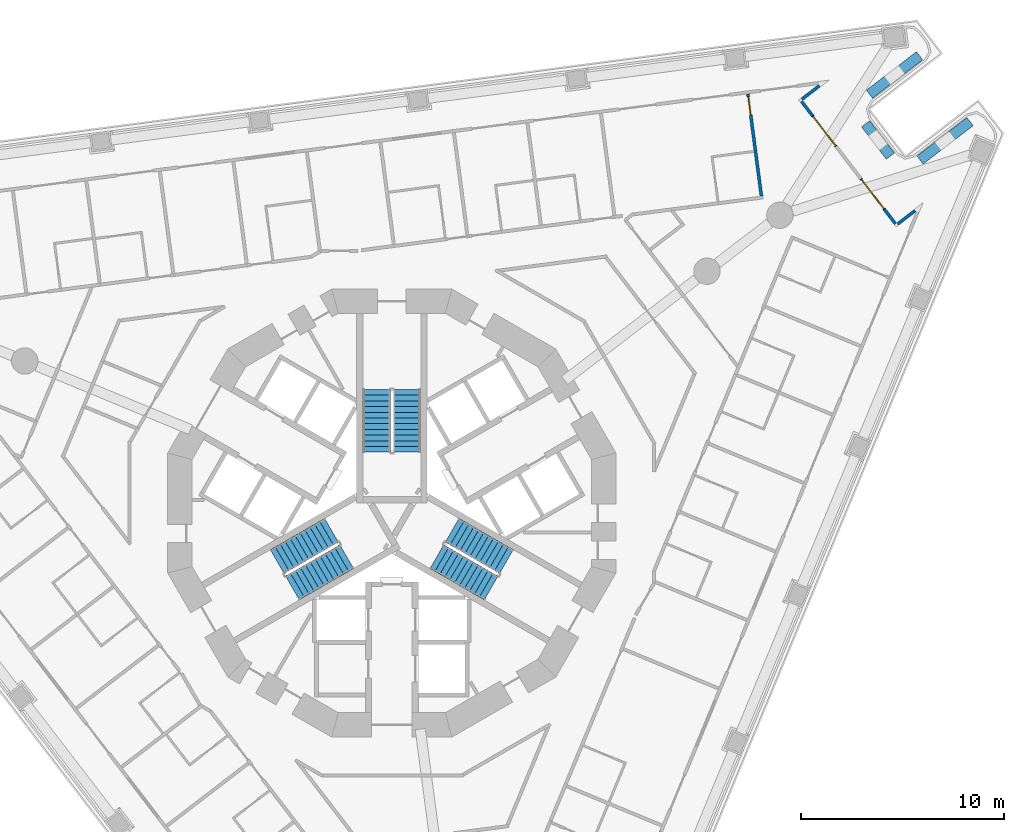
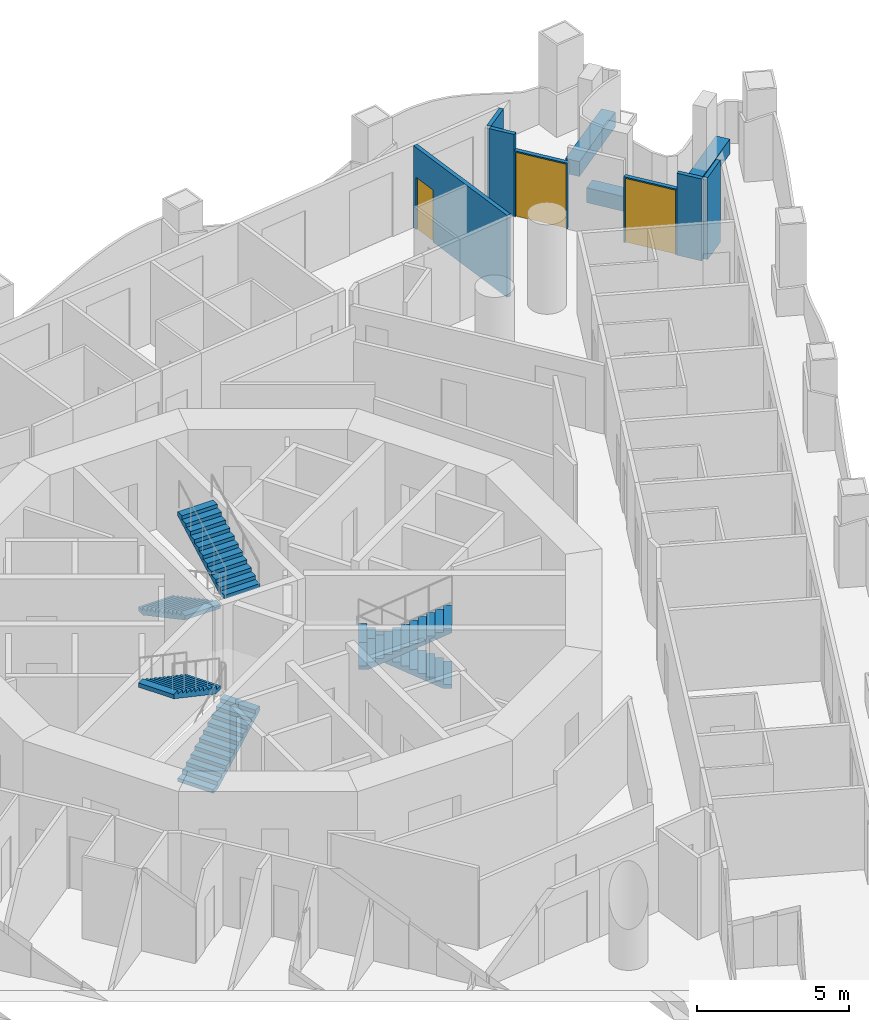
# One storey, part 11 of 19: 10 walls, 6 stair flights, 3 doors, 3 openings, 3 elements without a shape of their own.
"""IFC4 building model written with IfcOpenShell, lengths in metres."""

import ifcopenshell
import ifcopenshell.guid

model = None  # the IFC model being written
_history = None  # IfcOwnerHistory: only IFC2X3 demands one
_inside = {}  # id of a spatial element -> (the spatial element, [elements in it])
_under = {}  # id of a project, library or spatial element -> (it, [spatial elements below it])
_declared = {}  # id of a project -> (the project, [libraries it declares])
_typed = {}  # id of a type object -> (the type object, [elements of that type])
_made_of = {}  # id of a material, layer set ... -> (it, [elements and type objects made of it])


def new_model(schema):
    """Start an empty IFC model of exactly this schema.

    Asked for "IFC4X3", IfcOpenShell would pick the latest addendum, in which some entities
    have other attributes; the version numbers below select the first issue.
    IFC2X3 requires an IfcOwnerHistory on every rooted entity: one is made here for all.
    """
    global model, _history
    if schema == "IFC4X3":
        model = ifcopenshell.file(schema_version=(4, 3, 0, 0))
    else:
        model = ifcopenshell.file(schema=schema)
    _inside.clear()
    _under.clear()
    _declared.clear()
    _typed.clear()
    _made_of.clear()
    _history = None
    if model.schema == "IFC2X3":
        org = make("IfcOrganization", Name="unknown")
        user = make(
            "IfcPersonAndOrganization",
            ThePerson=make("IfcPerson", FamilyName="unknown"),
            TheOrganization=org,
        )
        app = make(
            "IfcApplication",
            ApplicationDeveloper=org,
            Version="unknown",
            ApplicationFullName="unknown",
            ApplicationIdentifier="unknown",
        )
        _history = make(
            "IfcOwnerHistory",
            OwningUser=user,
            OwningApplication=app,
            ChangeAction="ADDED",
            CreationDate=0,
        )
    return model


def make(cls, **values):
    """One entity of the class cls with the attributes given. An attribute that is None is left unset."""
    return model.create_entity(
        cls, **{name: value for name, value in values.items() if value is not None}
    )


def rooted(cls, **values):
    """An entity with a GlobalId (a new one), such as an element, a storey or a relation."""
    return make(cls, GlobalId=ifcopenshell.guid.new(), OwnerHistory=_history, **values)


def si_unit(unit_type, name, prefix=None):
    """IfcSIUnit, for example si_unit("LENGTHUNIT", "METRE", prefix="MILLI")."""
    return make("IfcSIUnit", UnitType=unit_type, Prefix=prefix, Name=name)


def assignment(units):
    """IfcUnitAssignment: the units of a project."""
    return None if units is None else make("IfcUnitAssignment", Units=units)


def point(xyz):
    """IfcCartesianPoint."""
    return None if xyz is None else make("IfcCartesianPoint", Coordinates=xyz)


def direction(xyz):
    """IfcDirection."""
    return None if xyz is None else make("IfcDirection", DirectionRatios=xyz)


def frame(location, z_axis=None, x_axis=None):
    """IfcAxis2Placement3D, a coordinate frame: its origin and axes. An axis left out is left unset."""
    return make(
        "IfcAxis2Placement3D",
        Location=point(location),
        Axis=direction(z_axis),
        RefDirection=direction(x_axis),
    )


def frame_2d(location, x_axis=None):
    """IfcAxis2Placement2D, a coordinate frame in the plane: its origin and x axis."""
    return make(
        "IfcAxis2Placement2D", Location=point(location), RefDirection=direction(x_axis)
    )


def origin():
    """The frame at (0, 0, 0) with its axes left unset."""
    return frame((0.0, 0.0, 0.0))


def place(relative_to, where):
    """IfcLocalPlacement: puts the frame where relative to a parent placement (None: the world)."""
    return make(
        "IfcLocalPlacement", PlacementRelTo=relative_to, RelativePlacement=where
    )


def context(
    kind, dimensions, precision=None, world=None, true_north=None, identifier=None
):
    """IfcGeometricRepresentationContext, for example the 3D "Model" context."""
    return make(
        "IfcGeometricRepresentationContext",
        ContextIdentifier=identifier,
        ContextType=kind,
        CoordinateSpaceDimension=dimensions,
        Precision=precision,
        WorldCoordinateSystem=world,
        TrueNorth=true_north,
    )


def subcontext(parent, identifier, kind, view, scale=None):
    """IfcGeometricRepresentationSubContext, for example "Body" below "Model"."""
    return make(
        "IfcGeometricRepresentationSubContext",
        ContextIdentifier=identifier,
        ContextType=kind,
        ParentContext=parent,
        TargetScale=scale,
        TargetView=view,
    )


def project(units=None, contexts=None):
    """IfcProject with its units and contexts."""
    return rooted(
        "IfcProject",
        Name="project",
        RepresentationContexts=contexts,
        UnitsInContext=assignment(units),
    )


def spatial(cls, under=None, at=None, **own):
    """A site, building, storey or space (cls), placed at a placement, below another one or the project."""
    s = rooted(cls, ObjectPlacement=at, **own)
    if under is not None:
        _under.setdefault(under.id(), (under, []))[1].append(s)
    return s


def polyline(points):
    """IfcPolyline through the points."""
    return make("IfcPolyline", Points=[point(p) for p in points])


def profile(cls, at=None, kind="AREA", **sizes):
    """A parametric profile (cls). Its sizes go by their IFC names, for example OverallWidth=200.0."""
    return make(cls, ProfileType=kind, Position=at, **sizes)


def rectangle(**sizes):
    """IfcRectangleProfileDef."""
    return profile("IfcRectangleProfileDef", **sizes)


def outline(outer, holes=None, kind="AREA"):
    """IfcArbitraryClosedProfileDef: a profile drawn as a closed curve; with holes, ...WithVoids."""
    if holes is None:
        return make("IfcArbitraryClosedProfileDef", ProfileType=kind, OuterCurve=outer)
    return make(
        "IfcArbitraryProfileDefWithVoids",
        ProfileType=kind,
        OuterCurve=outer,
        InnerCurves=holes,
    )


def extrude(swept, where, along, depth):
    """IfcExtrudedAreaSolid: the profile swept, set in the frame where, extruded along a direction by depth."""
    return make(
        "IfcExtrudedAreaSolid",
        SweptArea=swept,
        Position=where,
        ExtrudedDirection=direction(along),
        Depth=depth,
    )


def shape(context_of_items, identifier, shape_type, items):
    """IfcShapeRepresentation: the items that make up one representation, for example the "Body"."""
    return make(
        "IfcShapeRepresentation",
        ContextOfItems=context_of_items,
        RepresentationIdentifier=identifier,
        RepresentationType=shape_type,
        Items=items,
    )


def material(Name=None, Category=None):
    """IfcMaterial."""
    return make("IfcMaterial", Name=Name, Category=Category)


def layer(
    of_material, thickness, ventilated=None, Name=None, Category=None, Priority=None
):
    """IfcMaterialLayer: one layer of a wall or slab, of a material (None: an air gap)."""
    return make(
        "IfcMaterialLayer",
        Material=of_material,
        LayerThickness=thickness,
        IsVentilated=ventilated,
        Name=Name,
        Category=Category,
        Priority=Priority,
    )


def layer_set(layers, Name=None):
    """IfcMaterialLayerSet."""
    return make("IfcMaterialLayerSet", MaterialLayers=layers, LayerSetName=Name)


def made_of(thing, what):
    """Note that an element or type object is made of a material, layer set ...; save() writes the relation."""
    if what is not None:
        _made_of.setdefault(what.id(), (what, []))[1].append(thing)
    return thing


def type_object(cls, material=None, **own):
    """A type object (cls), such as IfcWallType, which elements share."""
    return made_of(rooted(cls, **own), material)


def element(
    cls,
    number,
    at=None,
    inside=None,
    cuts=None,
    type_object=None,
    material=None,
    context=None,
    identifier="Body",
    shape_type=None,
    held_by="IfcProductDefinitionShape",
    body=None,
    shapes=None,
    **own,
):
    """One element of the class cls, such as IfcWall. Its Tag is "e" and its number.

    at: its placement. inside: the storey or other place that contains it. cuts: it is an
    opening in that element (IfcRelVoidsElement). A single representation is given by context,
    identifier, shape_type and body (its items); several are given by shapes. held_by: the class
    of the entity that holds the representations. save() writes the other relations.
    """
    e = rooted(cls, Tag="e%d" % number, ObjectPlacement=at, **own)
    if body is not None:
        shapes = [shape(context, identifier, shape_type, body)]
    if shapes is not None:
        e.Representation = make(held_by, Representations=shapes)
    if inside is not None:
        _inside.setdefault(inside.id(), (inside, []))[1].append(e)
    if cuts is not None:
        rooted(
            "IfcRelVoidsElement", RelatingBuildingElement=cuts, RelatedOpeningElement=e
        )
    if type_object is not None:
        _typed.setdefault(type_object.id(), (type_object, []))[1].append(e)
    return made_of(e, material)


def fill(opening, filler):
    """IfcRelFillsElement: the door or window that sits in an opening."""
    return rooted(
        "IfcRelFillsElement",
        RelatingOpeningElement=opening,
        RelatedBuildingElement=filler,
    )


def aggregate(whole, parts):
    """IfcRelAggregates: a whole, such as a stair, and the parts it consists of."""
    return rooted("IfcRelAggregates", RelatingObject=whole, RelatedObjects=parts)


def save(model, path):
    """Write the relations noted so far, then the file.

    IfcRelAggregates (storeys below a building ...), IfcRelContainedInSpatialStructure (elements
    in a storey), IfcRelDefinesByType, IfcRelAssociatesMaterial and IfcRelDeclares: one each for
    every whole, place, type object, material and project.
    """
    for whole, parts in _under.values():
        aggregate(whole, parts)
    for where, things in _inside.values():
        rooted(
            "IfcRelContainedInSpatialStructure",
            RelatedElements=things,
            RelatingStructure=where,
        )
    for kind, things in _typed.values():
        rooted("IfcRelDefinesByType", RelatedObjects=things, RelatingType=kind)
    for what, things in _made_of.values():
        rooted("IfcRelAssociatesMaterial", RelatedObjects=things, RelatingMaterial=what)
    for by, libraries in _declared.values():
        rooted("IfcRelDeclares", RelatingContext=by, RelatedDefinitions=libraries)
    model.write(path)


model = new_model("IFC4")

# Units and contexts
model_context = context("Model", 3, precision=1e-05, world=origin(), true_north=direction((0.0, 1.0)))
body_context = subcontext(model_context, "Body", "Model", "MODEL_VIEW")
ifc_project = project(units=[si_unit("LENGTHUNIT", "METRE"), si_unit("AREAUNIT", "SQUARE_METRE"), si_unit("VOLUMEUNIT", "CUBIC_METRE"), si_unit("PLANEANGLEUNIT", "RADIAN"), si_unit("MASSUNIT", "GRAM", prefix="KILO")], contexts=[model_context])

# Site, building, storey
site_placement = place(None, origin())
site = spatial("IfcSite", under=ifc_project, at=site_placement, CompositionType="ELEMENT")
building_placement = place(site_placement, origin())
building = spatial("IfcBuilding", under=site, at=building_placement, Name="Trine Commons Tower", CompositionType="ELEMENT")
storey_placement = place(building_placement, frame((0.0, 0.0, 54.0)))
storey = spatial("IfcBuildingStorey", under=building, at=storey_placement, Name="L12", CompositionType="ELEMENT", Elevation=54.0)

# Walls
ifc_material_1 = material(Name="Aluminium-framed insulated wall panel", Category="aluminium")
ifc_layer_1 = layer(ifc_material_1, 0.14990234375)
ifc_layer_set_1 = layer_set([ifc_layer_1], Name="Aluminium-framed insulated wall panel")
wall_type_1 = type_object("IfcWallType", Name="Glazed frame wall 150, EI 60", PredefinedType="SOLIDWALL", material=ifc_layer_set_1)
wall_1_placement = place(storey_placement, frame((101.129150390625, 83.584716796875, 0.0), z_axis=(0.0, 0.0, 1.0), x_axis=(-0.79337253673, -0.608736410905, 0.0)))
element("IfcWall", 1, at=wall_1_placement, inside=storey, type_object=wall_type_1, Name="Glazed frame wall R5", PredefinedType="SOLIDWALL", context=body_context, shape_type="SweptSolid", body=[
    extrude(outline(polyline([(0.1494140625, 0.074951171875), (0.1494140625, -0.074951171875), (1.235107421875, -0.074951171875), (1.235107421875, 0.074951171875), (0.1494140625, 0.074951171875)])), origin(), (0.0, 0.0, 1.0), 3.300048828125),
])
wall_2_placement = place(storey_placement, frame((100.068603515625, 82.81494140625, 0.0), z_axis=(0.0, 0.0, 1.0), x_axis=(0.608908114293, -0.793240763166, 0.0)))
element("IfcWall", 2, at=wall_2_placement, inside=storey, type_object=wall_type_1, Name="Glazed frame wall P2.1", PredefinedType="SOLIDWALL", context=body_context, shape_type="SweptSolid", body=[
    extrude(outline(polyline([(0.110107421875, -0.074951171875), (1.0, -0.074951171875), (1.0, 0.074951171875), (0.110107421875, 0.074951171875), (0.110107421875, -0.074951171875)])), origin(), (0.0, 0.0, 1.0), 3.300048828125),
])

# Wall, opening, door
wall_3_placement = place(storey_placement, frame((100.677490234375, 82.021728515625, 0.0), z_axis=(0.0, 0.0, 1.0), x_axis=(0.608722862036, -0.793382932281, 0.0)))
wall_3 = element("IfcWall", 3, at=wall_3_placement, inside=storey, type_object=wall_type_1, Name="Glazed frame wall P2.2", PredefinedType="SOLIDWALL", context=body_context, shape_type="SweptSolid", body=[
    extrude(outline(polyline([(0.0, -0.074951171875), (1.89990234375, -0.074951171875), (1.89990234375, 0.074951171875), (0.0, 0.074951171875), (0.0, -0.074951171875)])), origin(), (0.0, 0.0, 1.0), 2.64990234375),
])
opening_1_placement = place(wall_3_placement, frame((0.050048828125, 0.0, 0.0)))
opening_1 = element("IfcOpeningElement", 4, at=opening_1_placement, cuts=wall_3, Name="Opening BD-2P2-01", PredefinedType="OPENING", context=body_context, shape_type="SweptSolid", body=[
    extrude(rectangle(XDim=1.800048828125, YDim=2.60009765625, at=frame_2d((0.89990234375, 1.300048828125))), frame((0.0, 0.0849609375, 0.0), z_axis=(0.0, -1.0, 0.0), x_axis=(1.0, 0.0, 0.0)), (0.0, 0.0, 1.0), 0.169921875),
])
ifc_material_2 = material(Name="Anodised aluminium frame with double glazing", Category="aluminium")
door_type_1 = type_object("IfcDoorType", Name="Sliding loggia door 1800x2600", OperationType="SLIDING_TO_LEFT", PredefinedType="DOOR", material=ifc_material_2)
door_1_placement = place(opening_1_placement, origin())
door_1 = element("IfcDoor", 5, at=door_1_placement, inside=storey, type_object=door_type_1, Name="Loggia door P2 1", OperationType="SLIDING_TO_LEFT", OverallHeight=2.60009765625, OverallWidth=1.800048828125, PredefinedType="DOOR", context=body_context, shape_type="SweptSolid", body=[
    extrude(rectangle(XDim=1.800048828125, YDim=2.60009765625, at=frame_2d((0.89990234375, 1.300048828125))), frame((0.0, 0.02490234375, 0.0), z_axis=(0.0, -1.0, 0.0), x_axis=(1.0, 0.0, 0.0)), (0.0, 0.0, 1.0), 0.050048828125),
])
fill(opening_1, door_1)

wall_4_placement = place(storey_placement, frame((103.051513671875, 78.927490234375, 0.0), z_axis=(0.0, 0.0, 1.0), x_axis=(0.608803740143, -0.793320872023, 0.0)))
wall_4 = element("IfcWall", 6, at=wall_4_placement, inside=storey, type_object=wall_type_1, Name="Glazed frame wall P2.4", PredefinedType="SOLIDWALL", context=body_context, shape_type="SweptSolid", body=[
    extrude(outline(polyline([(0.0, -0.074951171875), (1.89990234375, -0.074951171875), (1.89990234375, 0.074951171875), (0.0, 0.074951171875), (0.0, -0.074951171875)])), origin(), (0.0, 0.0, 1.0), 2.64990234375),
])
opening_2_placement = place(wall_4_placement, frame((0.050048828125, 0.0, 0.0)))
opening_2 = element("IfcOpeningElement", 7, at=opening_2_placement, cuts=wall_4, Name="Opening BD-2P2-02", PredefinedType="OPENING", context=body_context, shape_type="SweptSolid", body=[
    extrude(rectangle(XDim=1.800048828125, YDim=2.60009765625, at=frame_2d((0.89990234375, 1.300048828125))), frame((0.0, 0.0849609375, 0.0), z_axis=(0.0, -1.0, 0.0), x_axis=(1.0, 0.0, 0.0)), (0.0, 0.0, 1.0), 0.169921875),
])
door_2_placement = place(opening_2_placement, origin())
door_2 = element("IfcDoor", 8, at=door_2_placement, inside=storey, type_object=door_type_1, Name="Loggia door P2 2", OperationType="SLIDING_TO_LEFT", OverallHeight=2.60009765625, OverallWidth=1.800048828125, PredefinedType="DOOR", context=body_context, shape_type="SweptSolid", body=[
    extrude(rectangle(XDim=1.800048828125, YDim=2.60009765625, at=frame_2d((0.89990234375, 1.300048828125))), frame((0.0, 0.02490234375, 0.0), z_axis=(0.0, -1.0, 0.0), x_axis=(1.0, 0.0, 0.0)), (0.0, 0.0, 1.0), 0.050048828125),
])
fill(opening_2, door_2)

# Walls
wall_5_placement = place(storey_placement, frame((104.208251953125, 77.420166015625, 0.0), z_axis=(0.0, 0.0, 1.0), x_axis=(0.608754453805, -0.793358692504, 0.0)))
element("IfcWall", 9, at=wall_5_placement, inside=storey, type_object=wall_type_1, Name="Glazed frame wall P2.5", PredefinedType="SOLIDWALL", context=body_context, shape_type="SweptSolid", body=[
    extrude(outline(polyline([(0.889892578125, 0.074951171875), (0.0, 0.074951171875), (0.0, -0.074951171875), (0.889892578125, -0.074951171875), (0.889892578125, 0.074951171875)])), origin(), (0.0, 0.0, 1.0), 3.300048828125),
])
wall_6_placement = place(storey_placement, frame((104.767822265625, 76.63330078125, 0.0), z_axis=(0.0, 0.0, 1.0), x_axis=(0.793352136239, 0.608762998157, 0.0)))
element("IfcWall", 10, at=wall_6_placement, inside=storey, type_object=wall_type_1, Name="Glazed frame wall R7", PredefinedType="SOLIDWALL", context=body_context, shape_type="SweptSolid", body=[
    extrude(outline(polyline([(0.110107421875, 0.074951171875), (0.110107421875, -0.074951171875), (1.19580078125, -0.074951171875), (1.19580078125, 0.074951171875), (0.110107421875, 0.074951171875)])), origin(), (0.0, 0.0, 1.0), 3.300048828125),
])
ifc_material_3 = material(Name="Planter trough, precast concrete C40/50", Category="concrete")
ifc_layer_2 = layer(ifc_material_3, 0.5)
ifc_layer_set_2 = layer_set([ifc_layer_2], Name="Planter trough, precast concrete C40/50")
wall_type_2 = type_object("IfcWallType", Name="Planter trough 500x600", PredefinedType="PARAPET", material=ifc_layer_set_2)
wall_7_placement = place(storey_placement, frame((105.933349609375, 84.970703125, 0.0), z_axis=(0.0, 0.0, 1.0), x_axis=(-0.793355321014, -0.608758847671, 0.0)))
element("IfcWall", 11, at=wall_7_placement, inside=storey, type_object=wall_type_2, Name="Planter 4", PredefinedType="PARAPET", context=body_context, shape_type="SweptSolid", body=[
    extrude(rectangle(XDim=3.10009765625, YDim=0.5, at=frame_2d((1.550048828125, 0.0))), origin(), (0.0, 0.0, 1.0), 0.60009765625),
])
wall_8_placement = place(storey_placement, frame((103.281982421875, 81.625244140625, 0.0), z_axis=(0.0, 0.0, 1.0), x_axis=(0.608772331974, -0.793344974033, 0.0)))
element("IfcWall", 12, at=wall_8_placement, inside=storey, type_object=wall_type_2, Name="Planter 5", PredefinedType="PARAPET", context=body_context, shape_type="SweptSolid", body=[
    extrude(rectangle(XDim=2.0, YDim=0.5, at=frame_2d((1.0, 0.0))), origin(), (0.0, 0.0, 1.0), 0.60009765625),
])
wall_9_placement = place(storey_placement, frame((105.95751953125, 79.8466796875, 0.0), z_axis=(0.0, 0.0, 1.0), x_axis=(0.793355321014, 0.608758847671, 0.0)))
element("IfcWall", 13, at=wall_9_placement, inside=storey, type_object=wall_type_2, Name="Planter 6", PredefinedType="PARAPET", context=body_context, shape_type="SweptSolid", body=[
    extrude(rectangle(XDim=3.10009765625, YDim=0.5, at=frame_2d((1.550048828125, 0.0))), origin(), (0.0, 0.0, 1.0), 0.60009765625),
])

# Wall, opening, door
ifc_material_4 = material(Name="Gypsum plasterboard on steel stud", Category="steel")
ifc_layer_3 = layer(ifc_material_4, 0.14990234375)
ifc_layer_set_3 = layer_set([ifc_layer_3], Name="Gypsum plasterboard on steel stud")
wall_type_3 = type_object("IfcWallType", Name="Unit and corridor wall 150 mm, EI 60", PredefinedType="PARTITIONING", material=ifc_layer_set_3)
wall_10_placement = place(storey_placement, frame((97.501220703125, 83.097412109375, 0.0), z_axis=(0.0, 0.0, 1.0), x_axis=(0.130499406053, -0.991448387471, 0.0)))
wall_10 = element("IfcWall", 14, at=wall_10_placement, inside=storey, type_object=wall_type_3, Name="Partition 158", PredefinedType="PARTITIONING", context=body_context, shape_type="SweptSolid", body=[
    extrude(rectangle(XDim=5.064208984375, YDim=0.14990234375, at=frame_2d((2.5322265625, 0.0))), origin(), (0.0, 0.0, 1.0), 3.300048828125),
])
opening_3_placement = place(wall_10_placement, frame((0.14990234375, 0.0, 0.0)))
opening_3 = element("IfcOpeningElement", 15, at=opening_3_placement, cuts=wall_10, Name="Opening D-2A16", PredefinedType="OPENING", context=body_context, shape_type="SweptSolid", body=[
    extrude(rectangle(XDim=0.89990234375, YDim=2.10009765625, at=frame_2d((0.449951171875, 1.050048828125))), frame((0.0, 0.0849609375, 0.0), z_axis=(0.0, -1.0, 0.0), x_axis=(1.0, 0.0, 0.0)), (0.0, 0.0, 1.0), 0.169921875),
])
ifc_material_5 = material(Name="Timber fire door set", Category="wood")
door_type_2 = type_object("IfcDoorType", Name="Bedroom door 900 x 2100, FD30S", OperationType="NOTDEFINED", PredefinedType="DOOR", material=ifc_material_5)
door_3_placement = place(opening_3_placement, frame((0.89990234375, 0.0, 0.0), z_axis=(0.0, 0.0, 1.0), x_axis=(-1.0, 0.0, 0.0)))
door_3 = element("IfcDoor", 16, at=door_3_placement, inside=storey, type_object=door_type_2, Name="Door D-2A16", OperationType="SINGLE_SWING_RIGHT", OverallHeight=2.10009765625, OverallWidth=0.89990234375, PredefinedType="DOOR", context=body_context, shape_type="SweptSolid", body=[
    extrude(rectangle(XDim=0.89990234375, YDim=2.10009765625, at=frame_2d((0.449951171875, 1.050048828125))), frame((0.0, 0.02490234375, 0.0), z_axis=(0.0, -1.0, 0.0), x_axis=(1.0, 0.0, 0.0)), (0.0, 0.0, 1.0), 0.050048828125),
])
fill(opening_3, door_3)

# Stair, stair flights
ifc_material_6 = material(Name="Concrete C50/60", Category="concrete")
stair_type = type_object("IfcStairType", Name="Exit stair, dog-leg, 24 risers of 150 mm", PredefinedType="HALF_TURN_STAIR", material=ifc_material_6)
stair_1_placement = place(storey_placement, origin())
stair_1 = element("IfcStair", 17, at=stair_1_placement, inside=storey, type_object=stair_type, Name="L12 Exit stair ST1A", PredefinedType="HALF_TURN_STAIR")
stair_flight_type = type_object("IfcStairFlightType", Name="Stair flight, 1350 wide, 12 risers of 150 mm", PredefinedType="STRAIGHT", material=ifc_material_6)
stair_flight_1_placement = place(storey_placement, frame((79.25, 68.570556640625, 0.0), z_axis=(0.0, 0.0, 1.0), x_axis=(0.0, -1.0, 0.0)))
stair_flight_1 = element("IfcStairFlight", 18, at=stair_flight_1_placement, type_object=stair_flight_type, Name="ST1A flight 1", NumberOfRisers=12, NumberOfTreads=11, PredefinedType="STRAIGHT", RiserHeight=0.15, TreadLength=0.28, context=body_context, shape_type="SweptSolid", body=[
    extrude(outline(polyline([(0.0, 0.0), (0.0, 0.14990234375), (0.280029296875, 0.14990234375), (0.280029296875, 0.300048828125), (0.56005859375, 0.300048828125), (0.56005859375, 0.449951171875), (0.840087890625, 0.449951171875), (0.840087890625, 0.60009765625), (1.1201171875, 0.60009765625), (1.1201171875, 0.75), (1.39990234375, 0.75), (1.39990234375, 0.89990234375), (1.679931640625, 0.89990234375), (1.679931640625, 1.050048828125), (1.9599609375, 1.050048828125), (1.9599609375, 1.199951171875), (2.239990234375, 1.199951171875), (2.239990234375, 1.35009765625), (2.52001953125, 1.35009765625), (2.52001953125, 1.5), (2.800048828125, 1.5), (2.800048828125, 1.64990234375), (3.080078125, 1.64990234375), (3.080078125, 1.800048828125), (3.080078125, 1.47998046875), (0.3173828125, 0.0), (0.0, 0.0)])), frame((0.0, 0.675048828125, 0.0), z_axis=(0.0, -1.0, 0.0), x_axis=(1.0, 0.0, 0.0)), (0.0, 0.0, 1.0), 1.35009765625),
])
stair_flight_2_placement = place(storey_placement, frame((80.75, 65.490478515625, 1.800048828125), z_axis=(0.0, 0.0, 1.0), x_axis=(0.0, 1.0, 0.0)))
stair_flight_2 = element("IfcStairFlight", 19, at=stair_flight_2_placement, type_object=stair_flight_type, Name="ST1A flight 2", NumberOfRisers=12, NumberOfTreads=11, PredefinedType="STRAIGHT", RiserHeight=0.15, TreadLength=0.28, context=body_context, shape_type="SweptSolid", body=[
    extrude(outline(polyline([(0.0, 0.0), (0.0, 0.14990234375), (0.280029296875, 0.14990234375), (0.280029296875, 0.300048828125), (0.56005859375, 0.300048828125), (0.56005859375, 0.449951171875), (0.840087890625, 0.449951171875), (0.840087890625, 0.60009765625), (1.1201171875, 0.60009765625), (1.1201171875, 0.75), (1.39990234375, 0.75), (1.39990234375, 0.89990234375), (1.679931640625, 0.89990234375), (1.679931640625, 1.050048828125), (1.9599609375, 1.050048828125), (1.9599609375, 1.199951171875), (2.239990234375, 1.199951171875), (2.239990234375, 1.35009765625), (2.52001953125, 1.35009765625), (2.52001953125, 1.5), (2.800048828125, 1.5), (2.800048828125, 1.64990234375), (3.080078125, 1.64990234375), (3.080078125, 1.800048828125), (3.080078125, 1.47998046875), (0.3173828125, 0.0), (0.0, 0.0)])), frame((0.0, 0.675048828125, 0.0), z_axis=(0.0, -1.0, 0.0), x_axis=(1.0, 0.0, 0.0)), (0.0, 0.0, 1.0), 1.35009765625),
])
aggregate(stair_1, [stair_flight_1, stair_flight_2])

stair_2_placement = place(storey_placement, origin())
stair_2 = element("IfcStair", 20, at=stair_2_placement, inside=storey, type_object=stair_type, Name="L12 Exit stair ST2A", PredefinedType="HALF_TURN_STAIR")
stair_flight_3_placement = place(storey_placement, frame((75.11767578125, 58.815185546875, 0.0), z_axis=(0.0, 0.0, 1.0), x_axis=(0.866025403784, 0.5, 0.0)))
stair_flight_3 = element("IfcStairFlight", 21, at=stair_flight_3_placement, type_object=stair_flight_type, Name="ST2A flight 1", NumberOfRisers=12, NumberOfTreads=11, PredefinedType="STRAIGHT", RiserHeight=0.15, TreadLength=0.28, context=body_context, shape_type="SweptSolid", body=[
    extrude(outline(polyline([(0.0, 0.0), (0.0, 0.14990234375), (0.280029296875, 0.14990234375), (0.280029296875, 0.300048828125), (0.56005859375, 0.300048828125), (0.56005859375, 0.449951171875), (0.840087890625, 0.449951171875), (0.840087890625, 0.60009765625), (1.1201171875, 0.60009765625), (1.1201171875, 0.75), (1.39990234375, 0.75), (1.39990234375, 0.89990234375), (1.679931640625, 0.89990234375), (1.679931640625, 1.050048828125), (1.9599609375, 1.050048828125), (1.9599609375, 1.199951171875), (2.239990234375, 1.199951171875), (2.239990234375, 1.35009765625), (2.52001953125, 1.35009765625), (2.52001953125, 1.5), (2.800048828125, 1.5), (2.800048828125, 1.64990234375), (3.080078125, 1.64990234375), (3.080078125, 1.800048828125), (3.080078125, 1.47998046875), (0.3173828125, 0.0), (0.0, 0.0)])), frame((0.0, 0.675048828125, 0.0), z_axis=(0.0, -1.0, 0.0), x_axis=(1.0, 0.0, 0.0)), (0.0, 0.0, 1.0), 1.35009765625),
])
stair_flight_4_placement = place(storey_placement, frame((77.03515625, 61.654296875, 1.800048828125), z_axis=(0.0, 0.0, 1.0), x_axis=(-0.866025403784, -0.5, 0.0)))
stair_flight_4 = element("IfcStairFlight", 22, at=stair_flight_4_placement, type_object=stair_flight_type, Name="ST2A flight 2", NumberOfRisers=12, NumberOfTreads=11, PredefinedType="STRAIGHT", RiserHeight=0.15, TreadLength=0.28, context=body_context, shape_type="SweptSolid", body=[
    extrude(outline(polyline([(0.0, 0.0), (0.0, 0.14990234375), (0.280029296875, 0.14990234375), (0.280029296875, 0.300048828125), (0.56005859375, 0.300048828125), (0.56005859375, 0.449951171875), (0.840087890625, 0.449951171875), (0.840087890625, 0.60009765625), (1.1201171875, 0.60009765625), (1.1201171875, 0.75), (1.39990234375, 0.75), (1.39990234375, 0.89990234375), (1.679931640625, 0.89990234375), (1.679931640625, 1.050048828125), (1.9599609375, 1.050048828125), (1.9599609375, 1.199951171875), (2.239990234375, 1.199951171875), (2.239990234375, 1.35009765625), (2.52001953125, 1.35009765625), (2.52001953125, 1.5), (2.800048828125, 1.5), (2.800048828125, 1.64990234375), (3.080078125, 1.64990234375), (3.080078125, 1.800048828125), (3.080078125, 1.47998046875), (0.3173828125, 0.0), (0.0, 0.0)])), frame((0.0, 0.675048828125, 0.0), z_axis=(0.0, -1.0, 0.0), x_axis=(1.0, 0.0, 0.0)), (0.0, 0.0, 1.0), 1.35009765625),
])
aggregate(stair_2, [stair_flight_3, stair_flight_4])

stair_3_placement = place(storey_placement, origin())
stair_3 = element("IfcStair", 23, at=stair_3_placement, inside=storey, type_object=stair_type, Name="L12 Exit stair ST3A", PredefinedType="HALF_TURN_STAIR")
stair_flight_5_placement = place(storey_placement, frame((85.63232421875, 60.1142578125, 0.0), z_axis=(0.0, 0.0, 1.0), x_axis=(-0.866025403784, 0.5, 0.0)))
stair_flight_5 = element("IfcStairFlight", 24, at=stair_flight_5_placement, type_object=stair_flight_type, Name="ST3A flight 1", NumberOfRisers=12, NumberOfTreads=11, PredefinedType="STRAIGHT", RiserHeight=0.15, TreadLength=0.28, context=body_context, shape_type="SweptSolid", body=[
    extrude(outline(polyline([(0.0, 0.0), (0.0, 0.14990234375), (0.280029296875, 0.14990234375), (0.280029296875, 0.300048828125), (0.56005859375, 0.300048828125), (0.56005859375, 0.449951171875), (0.840087890625, 0.449951171875), (0.840087890625, 0.60009765625), (1.1201171875, 0.60009765625), (1.1201171875, 0.75), (1.39990234375, 0.75), (1.39990234375, 0.89990234375), (1.679931640625, 0.89990234375), (1.679931640625, 1.050048828125), (1.9599609375, 1.050048828125), (1.9599609375, 1.199951171875), (2.239990234375, 1.199951171875), (2.239990234375, 1.35009765625), (2.52001953125, 1.35009765625), (2.52001953125, 1.5), (2.800048828125, 1.5), (2.800048828125, 1.64990234375), (3.080078125, 1.64990234375), (3.080078125, 1.800048828125), (3.080078125, 1.47998046875), (0.3173828125, 0.0), (0.0, 0.0)])), frame((0.0, 0.675048828125, 0.0), z_axis=(0.0, -1.0, 0.0), x_axis=(1.0, 0.0, 0.0)), (0.0, 0.0, 1.0), 1.35009765625),
])
stair_flight_6_placement = place(storey_placement, frame((82.21484375, 60.355224609375, 1.800048828125), z_axis=(0.0, 0.0, 1.0), x_axis=(0.866025403784, -0.5, 0.0)))
stair_flight_6 = element("IfcStairFlight", 25, at=stair_flight_6_placement, type_object=stair_flight_type, Name="ST3A flight 2", NumberOfRisers=12, NumberOfTreads=11, PredefinedType="STRAIGHT", RiserHeight=0.15, TreadLength=0.28, context=body_context, shape_type="SweptSolid", body=[
    extrude(outline(polyline([(0.0, 0.0), (0.0, 0.14990234375), (0.280029296875, 0.14990234375), (0.280029296875, 0.300048828125), (0.56005859375, 0.300048828125), (0.56005859375, 0.449951171875), (0.840087890625, 0.449951171875), (0.840087890625, 0.60009765625), (1.1201171875, 0.60009765625), (1.1201171875, 0.75), (1.39990234375, 0.75), (1.39990234375, 0.89990234375), (1.679931640625, 0.89990234375), (1.679931640625, 1.050048828125), (1.9599609375, 1.050048828125), (1.9599609375, 1.199951171875), (2.239990234375, 1.199951171875), (2.239990234375, 1.35009765625), (2.52001953125, 1.35009765625), (2.52001953125, 1.5), (2.800048828125, 1.5), (2.800048828125, 1.64990234375), (3.080078125, 1.64990234375), (3.080078125, 1.800048828125), (3.080078125, 1.47998046875), (0.3173828125, 0.0), (0.0, 0.0)])), frame((0.0, 0.675048828125, 0.0), z_axis=(0.0, -1.0, 0.0), x_axis=(1.0, 0.0, 0.0)), (0.0, 0.0, 1.0), 1.35009765625),
])
aggregate(stair_3, [stair_flight_5, stair_flight_6])

save(model, "model.ifc")
